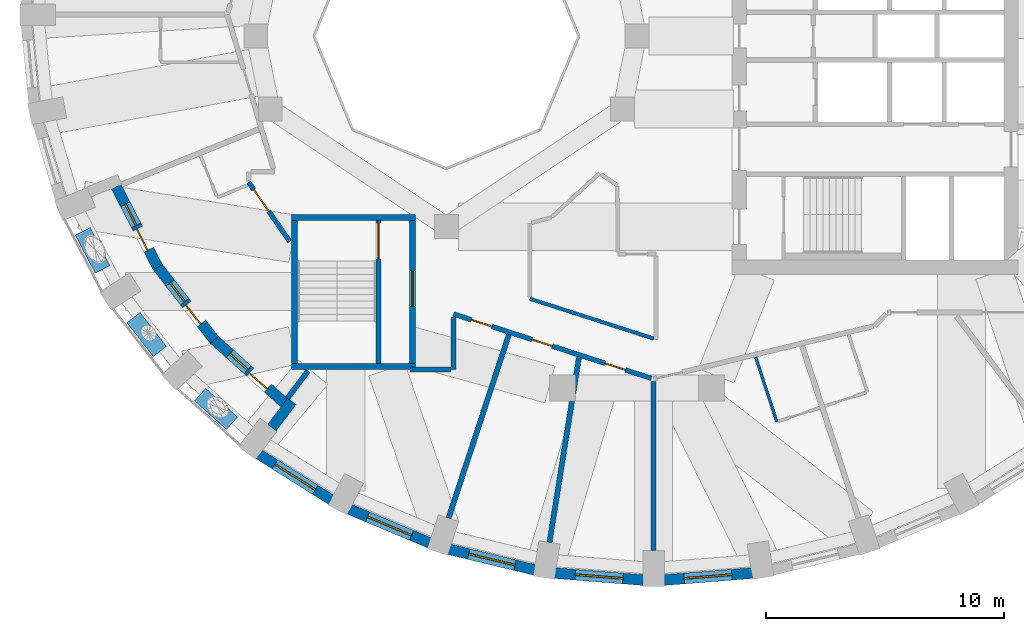
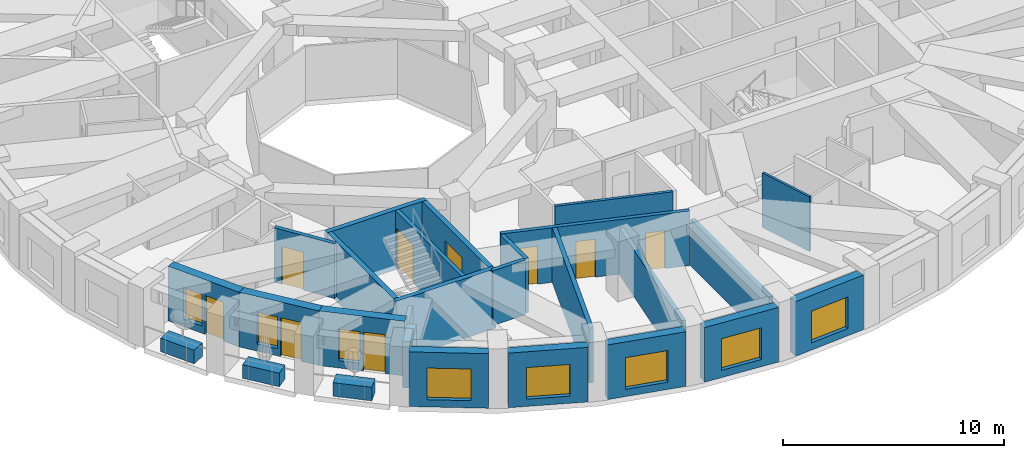
# One storey, part 3 of 12: 27 walls, 9 doors, 8 windows, 17 openings.
"""IFC4 building model written with IfcOpenShell, lengths in metres."""

from ifc_helpers import new_model, si_unit, direction, frame, frame_2d, origin, place, context, subcontext, project, spatial, rectangle, extrude, material, layer, layer_set, constituent, constituent_set, type_object, element, fill, save


model = new_model("IFC4")

# Units and contexts
model_context = context("Model", 3, precision=1e-05, world=origin(), true_north=direction((0.0, 1.0)))
body_context = subcontext(model_context, "Body", "Model", "MODEL_VIEW")
ifc_project = project(units=[si_unit("LENGTHUNIT", "METRE"), si_unit("AREAUNIT", "SQUARE_METRE"), si_unit("VOLUMEUNIT", "CUBIC_METRE"), si_unit("PLANEANGLEUNIT", "RADIAN"), si_unit("MASSUNIT", "GRAM", prefix="KILO")], contexts=[model_context])

# Site, building, storey
site_placement = place(None, origin())
site = spatial("IfcSite", under=ifc_project, at=site_placement, CompositionType="ELEMENT")
building_placement = place(site_placement, origin())
building = spatial("IfcBuilding", under=site, at=building_placement, Name="Taillehof Tower", CompositionType="ELEMENT")
storey_placement = place(building_placement, frame((0.0, 0.0, 218.89990234375)))
storey = spatial("IfcBuildingStorey", under=building, at=storey_placement, Name="L62", CompositionType="ELEMENT", Elevation=218.89990234375)

# Wall, opening, window
ifc_material_1 = material(Name="Brick masonry", Category="masonry")
ifc_layer_1 = layer(ifc_material_1, 0.449951171875)
ifc_layer_set_1 = layer_set([ifc_layer_1], Name="Brick infill wall 450")
wall_type_1 = type_object("IfcWallType", Name="Brick infill wall 450", PredefinedType="SOLIDWALL", material=ifc_layer_set_1)
wall_1_placement = place(storey_placement, frame((-15.8671875, -17.55859375, 0.0), z_axis=(0.0, 0.0, 1.0), x_axis=(0.84616917791, -0.532914366813, 0.0)))
wall_1 = element("IfcWall", 1, at=wall_1_placement, inside=storey, type_object=wall_type_1, Name="Brick wall L62 bay 24", PredefinedType="SOLIDWALL", context=body_context, shape_type="SweptSolid", body=[
    extrude(rectangle(XDim=3.586669921875, YDim=0.449951171875, at=frame_2d((1.79345703125, 0.0))), origin(), (0.0, 0.0, 1.0), 3.02001953125),
])
opening_1_placement = place(wall_1_placement, frame((0.79345703125, 0.0, 0.39990234375)))
opening_1 = element("IfcOpeningElement", 2, at=opening_1_placement, cuts=wall_1, Name="Opening W2", PredefinedType="OPENING", context=body_context, shape_type="SweptSolid", body=[
    extrude(rectangle(XDim=2.0, YDim=1.75, at=frame_2d((1.0, 0.875))), frame((0.0, 0.23486328125, 0.0), z_axis=(0.0, -1.0, 0.0), x_axis=(1.0, 0.0, 0.0)), (0.0, 0.0, 1.0), 0.469970703125),
])
ifc_material_2 = material(Name="Aluminium window frame with clear double glazing", Category="aluminium")
window_type_1 = type_object("IfcWindowType", Name="Deep-set window 2000x1750", PartitioningType="SINGLE_PANEL", PredefinedType="WINDOW", material=ifc_material_2)
window_1_placement = place(opening_1_placement, origin())
window_1 = element("IfcWindow", 3, at=window_1_placement, inside=storey, type_object=window_type_1, Name="W2", OverallHeight=1.75, OverallWidth=2.0, PartitioningType="SINGLE_PANEL", PredefinedType="WINDOW", context=body_context, shape_type="SweptSolid", body=[
    extrude(rectangle(XDim=2.0, YDim=1.75, at=frame_2d((1.0, 0.875))), frame((0.0, 0.034912109375, 0.0), z_axis=(0.0, -1.0, 0.0), x_axis=(1.0, 0.0, 0.0)), (0.0, 0.0, 1.0), 0.06005859375),
])
fill(opening_1, window_1)

wall_2_placement = place(storey_placement, frame((-12.0693359375, -19.866943359375, 0.0), z_axis=(0.0, 0.0, 1.0), x_axis=(0.922168222612, -0.386789050006, 0.0)))
wall_2 = element("IfcWall", 4, at=wall_2_placement, inside=storey, type_object=wall_type_1, Name="Brick wall L62 bay 25", PredefinedType="SOLIDWALL", context=body_context, shape_type="SweptSolid", body=[
    extrude(rectangle(XDim=3.65087890625, YDim=0.449951171875, at=frame_2d((1.825439453125, 0.0))), origin(), (0.0, 0.0, 1.0), 3.02001953125),
])
opening_2_placement = place(wall_2_placement, frame((0.825439453125, 0.0, 0.39990234375)))
opening_2 = element("IfcOpeningElement", 5, at=opening_2_placement, cuts=wall_2, Name="Opening W2", PredefinedType="OPENING", context=body_context, shape_type="SweptSolid", body=[
    extrude(rectangle(XDim=2.0, YDim=1.75, at=frame_2d((1.0, 0.875))), frame((0.0, 0.23486328125, 0.0), z_axis=(0.0, -1.0, 0.0), x_axis=(1.0, 0.0, 0.0)), (0.0, 0.0, 1.0), 0.469970703125),
])
window_2_placement = place(opening_2_placement, origin())
window_2 = element("IfcWindow", 6, at=window_2_placement, inside=storey, type_object=window_type_1, Name="W2", OverallHeight=1.75, OverallWidth=2.0, PartitioningType="SINGLE_PANEL", PredefinedType="WINDOW", context=body_context, shape_type="SweptSolid", body=[
    extrude(rectangle(XDim=2.0, YDim=1.75, at=frame_2d((1.0, 0.875))), frame((0.0, 0.034912109375, 0.0), z_axis=(0.0, -1.0, 0.0), x_axis=(1.0, 0.0, 0.0)), (0.0, 0.0, 1.0), 0.06005859375),
])
fill(opening_2, window_2)

wall_3_placement = place(storey_placement, frame((-7.88525390625, -21.547119140625, 0.0), z_axis=(0.0, 0.0, 1.0), x_axis=(0.9721584944, -0.234324266275, 0.0)))
wall_3 = element("IfcWall", 7, at=wall_3_placement, inside=storey, type_object=wall_type_1, Name="Brick wall L62 bay 26", PredefinedType="SOLIDWALL", context=body_context, shape_type="SweptSolid", body=[
    extrude(rectangle(XDim=3.69775390625, YDim=0.449951171875, at=frame_2d((1.848876953125, 0.0))), origin(), (0.0, 0.0, 1.0), 3.02001953125),
])
opening_3_placement = place(wall_3_placement, frame((0.848876953125, 0.0, 0.39990234375)))
opening_3 = element("IfcOpeningElement", 8, at=opening_3_placement, cuts=wall_3, Name="Opening W2", PredefinedType="OPENING", context=body_context, shape_type="SweptSolid", body=[
    extrude(rectangle(XDim=2.0, YDim=1.75, at=frame_2d((1.0, 0.875))), frame((0.0, 0.23486328125, 0.0), z_axis=(0.0, -1.0, 0.0), x_axis=(1.0, 0.0, 0.0)), (0.0, 0.0, 1.0), 0.469970703125),
])
window_3_placement = place(opening_3_placement, origin())
window_3 = element("IfcWindow", 9, at=window_3_placement, inside=storey, type_object=window_type_1, Name="W2", OverallHeight=1.75, OverallWidth=2.0, PartitioningType="SINGLE_PANEL", PredefinedType="WINDOW", context=body_context, shape_type="SweptSolid", body=[
    extrude(rectangle(XDim=2.0, YDim=1.75, at=frame_2d((1.0, 0.875))), frame((0.0, 0.034912109375, 0.0), z_axis=(0.0, -1.0, 0.0), x_axis=(1.0, 0.0, 0.0)), (0.0, 0.0, 1.0), 0.06005859375),
])
fill(opening_3, window_3)

wall_4_placement = place(storey_placement, frame((-3.441162109375, -22.54833984375, 0.0), z_axis=(0.0, 0.0, 1.0), x_axis=(0.996913971077, -0.078501810629, 0.0)))
wall_4 = element("IfcWall", 10, at=wall_4_placement, inside=storey, type_object=wall_type_1, Name="Brick wall L62 bay 27", PredefinedType="SOLIDWALL", context=body_context, shape_type="SweptSolid", body=[
    extrude(rectangle(XDim=3.72265625, YDim=0.449951171875, at=frame_2d((1.861328125, 0.0))), origin(), (0.0, 0.0, 1.0), 3.02001953125),
])
opening_4_placement = place(wall_4_placement, frame((0.861328125, 0.0, 0.39990234375)))
opening_4 = element("IfcOpeningElement", 11, at=opening_4_placement, cuts=wall_4, Name="Opening W2", PredefinedType="OPENING", context=body_context, shape_type="SweptSolid", body=[
    extrude(rectangle(XDim=2.0, YDim=1.75, at=frame_2d((1.0, 0.875))), frame((0.0, 0.23486328125, 0.0), z_axis=(0.0, -1.0, 0.0), x_axis=(1.0, 0.0, 0.0)), (0.0, 0.0, 1.0), 0.469970703125),
])
window_4_placement = place(opening_4_placement, origin())
window_4 = element("IfcWindow", 12, at=window_4_placement, inside=storey, type_object=window_type_1, Name="W2", OverallHeight=1.75, OverallWidth=2.0, PartitioningType="SINGLE_PANEL", PredefinedType="WINDOW", context=body_context, shape_type="SweptSolid", body=[
    extrude(rectangle(XDim=2.0, YDim=1.75, at=frame_2d((1.0, 0.875))), frame((0.0, 0.034912109375, 0.0), z_axis=(0.0, -1.0, 0.0), x_axis=(1.0, 0.0, 0.0)), (0.0, 0.0, 1.0), 0.06005859375),
])
fill(opening_4, window_4)

wall_5_placement = place(storey_placement, frame((1.130126953125, -22.840576171875, 0.0), z_axis=(0.0, 0.0, 1.0), x_axis=(0.996913566885, 0.078506943392, 0.0)))
wall_5 = element("IfcWall", 13, at=wall_5_placement, inside=storey, type_object=wall_type_1, Name="Brick wall L62 bay 28", PredefinedType="SOLIDWALL", context=body_context, shape_type="SweptSolid", body=[
    extrude(rectangle(XDim=3.722412109375, YDim=0.449951171875, at=frame_2d((1.861328125, 0.0))), origin(), (0.0, 0.0, 1.0), 3.02001953125),
])
opening_5_placement = place(wall_5_placement, frame((0.861328125, 0.0, 0.39990234375)))
opening_5 = element("IfcOpeningElement", 14, at=opening_5_placement, cuts=wall_5, Name="Opening W2", PredefinedType="OPENING", context=body_context, shape_type="SweptSolid", body=[
    extrude(rectangle(XDim=2.0, YDim=1.75, at=frame_2d((1.0, 0.875))), frame((0.0, 0.23486328125, 0.0), z_axis=(0.0, -1.0, 0.0), x_axis=(1.0, 0.0, 0.0)), (0.0, 0.0, 1.0), 0.469970703125),
])
window_5_placement = place(opening_5_placement, origin())
window_5 = element("IfcWindow", 15, at=window_5_placement, inside=storey, type_object=window_type_1, Name="W2", OverallHeight=1.75, OverallWidth=2.0, PartitioningType="SINGLE_PANEL", PredefinedType="WINDOW", context=body_context, shape_type="SweptSolid", body=[
    extrude(rectangle(XDim=2.0, YDim=1.75, at=frame_2d((1.0, 0.875))), frame((0.0, 0.034912109375, 0.0), z_axis=(0.0, -1.0, 0.0), x_axis=(1.0, 0.0, 0.0)), (0.0, 0.0, 1.0), 0.06005859375),
])
fill(opening_5, window_5)

# Wall
wall_6_placement = place(storey_placement, frame((-15.325927734375, -16.441650390625, 0.0), z_axis=(0.0, 0.0, 1.0), x_axis=(0.603644757989, 0.797253414011, 0.0)))
element("IfcWall", 16, at=wall_6_placement, inside=storey, type_object=wall_type_1, Name="Brick reveal L62 pocket 6", PredefinedType="SOLIDWALL", context=body_context, shape_type="SweptSolid", body=[
    extrude(rectangle(XDim=1.390869140625, YDim=0.449951171875, at=frame_2d((0.6953125, 0.0))), origin(), (0.0, 0.0, 1.0), 2.570068359375),
])

# Wall, openings, door, window
wall_7_placement = place(storey_placement, frame((-21.860595703125, -6.326171875, 0.0), z_axis=(0.0, 0.0, 1.0), x_axis=(0.45924645187, -0.888308896975, 0.0)))
wall_7 = element("IfcWall", 17, at=wall_7_placement, inside=storey, type_object=wall_type_1, Name="Brick wall L62 pocket bay 21", PredefinedType="SOLIDWALL", context=body_context, shape_type="SweptSolid", body=[
    extrude(rectangle(XDim=3.801513671875, YDim=0.449951171875, at=frame_2d((1.90087890625, 0.0))), origin(), (0.0, 0.0, 1.0), 3.02001953125),
])
opening_6_placement = place(wall_7_placement, frame((0.82568359375, 0.0, 0.39990234375)))
opening_6 = element("IfcOpeningElement", 18, at=opening_6_placement, cuts=wall_7, Name="Opening W5", PredefinedType="OPENING", context=body_context, shape_type="SweptSolid", body=[
    extrude(rectangle(XDim=1.0, YDim=1.75, at=frame_2d((0.5, 0.875))), frame((0.0, 0.23486328125, 0.0), z_axis=(0.0, -1.0, 0.0), x_axis=(1.0, 0.0, 0.0)), (0.0, 0.0, 1.0), 0.469970703125),
])
opening_7_placement = place(wall_7_placement, frame((1.975830078125, 0.0, 0.0)))
opening_7 = element("IfcOpeningElement", 19, at=opening_7_placement, cuts=wall_7, Name="Opening D6294", PredefinedType="OPENING", context=body_context, shape_type="SweptSolid", body=[
    extrude(rectangle(XDim=1.0, YDim=2.14990234375, at=frame_2d((0.5, 1.074951171875))), frame((0.0, 0.23486328125, 0.0), z_axis=(0.0, -1.0, 0.0), x_axis=(1.0, 0.0, 0.0)), (0.0, 0.0, 1.0), 0.469970703125),
])
ifc_material_3 = material(Name="Aluminium door frame with clear double glazing", Category="aluminium")
door_type_1 = type_object("IfcDoorType", Name="Balcony door 1000x2150", OperationType="SINGLE_SWING_RIGHT", PredefinedType="DOOR", material=ifc_material_3)
door_1_placement = place(opening_7_placement, frame((1.0, 0.0, 0.0), z_axis=(0.0, 0.0, 1.0), x_axis=(-1.0, 0.0, 0.0)))
door_1 = element("IfcDoor", 20, at=door_1_placement, inside=storey, type_object=door_type_1, Name="Balcony door L62 bay 21", OperationType="SINGLE_SWING_RIGHT", OverallHeight=2.14990234375, OverallWidth=1.0, PredefinedType="DOOR", context=body_context, shape_type="SweptSolid", body=[
    extrude(rectangle(XDim=1.0, YDim=2.14990234375, at=frame_2d((0.5, 1.074951171875))), frame((0.0, 0.0751953125, 0.0), z_axis=(0.0, -1.0, 0.0), x_axis=(1.0, 0.0, 0.0)), (0.0, 0.0, 1.0), 0.050048828125),
])
fill(opening_7, door_1)
ifc_material_4 = material(Name="Aluminium window frame with clear double glazing", Category="aluminium")
window_type_2 = type_object("IfcWindowType", Name="Fixed window 1000x1750", PartitioningType="SINGLE_PANEL", PredefinedType="WINDOW", material=ifc_material_4)
window_6_placement = place(opening_6_placement, origin())
window_6 = element("IfcWindow", 21, at=window_6_placement, inside=storey, type_object=window_type_2, Name="W5", OverallHeight=1.75, OverallWidth=1.0, PartitioningType="SINGLE_PANEL", PredefinedType="WINDOW", context=body_context, shape_type="SweptSolid", body=[
    extrude(rectangle(XDim=1.0, YDim=1.75, at=frame_2d((0.5, 0.875))), frame((0.0, 0.034912109375, 0.0), z_axis=(0.0, -1.0, 0.0), x_axis=(1.0, 0.0, 0.0)), (0.0, 0.0, 1.0), 0.06005859375),
])
fill(opening_6, window_6)

wall_8_placement = place(storey_placement, frame((-20.136962890625, -9.66845703125, 0.0), z_axis=(0.0, 0.0, 1.0), x_axis=(0.613157177014, -0.789960933386, 0.0)))
wall_8 = element("IfcWall", 22, at=wall_8_placement, inside=storey, type_object=wall_type_1, Name="Brick wall L62 pocket bay 22", PredefinedType="SOLIDWALL", context=body_context, shape_type="SweptSolid", body=[
    extrude(rectangle(XDim=3.906494140625, YDim=0.449951171875, at=frame_2d((1.953125, 0.0))), origin(), (0.0, 0.0, 1.0), 3.02001953125),
])
opening_8_placement = place(wall_8_placement, frame((0.87841796875, 0.0, 0.39990234375)))
opening_8 = element("IfcOpeningElement", 23, at=opening_8_placement, cuts=wall_8, Name="Opening W5", PredefinedType="OPENING", context=body_context, shape_type="SweptSolid", body=[
    extrude(rectangle(XDim=1.0, YDim=1.75, at=frame_2d((0.5, 0.875))), frame((0.0, 0.23486328125, 0.0), z_axis=(0.0, -1.0, 0.0), x_axis=(1.0, 0.0, 0.0)), (0.0, 0.0, 1.0), 0.469970703125),
])
opening_9_placement = place(wall_8_placement, frame((2.0283203125, 0.0, 0.0)))
opening_9 = element("IfcOpeningElement", 24, at=opening_9_placement, cuts=wall_8, Name="Opening D6295", PredefinedType="OPENING", context=body_context, shape_type="SweptSolid", body=[
    extrude(rectangle(XDim=1.0, YDim=2.14990234375, at=frame_2d((0.5, 1.074951171875))), frame((0.0, 0.23486328125, 0.0), z_axis=(0.0, -1.0, 0.0), x_axis=(1.0, 0.0, 0.0)), (0.0, 0.0, 1.0), 0.469970703125),
])
door_2_placement = place(opening_9_placement, frame((1.0, 0.0, 0.0), z_axis=(0.0, 0.0, 1.0), x_axis=(-1.0, 0.0, 0.0)))
door_2 = element("IfcDoor", 25, at=door_2_placement, inside=storey, type_object=door_type_1, Name="Balcony door L62 bay 22", OperationType="SINGLE_SWING_LEFT", OverallHeight=2.14990234375, OverallWidth=1.0, PredefinedType="DOOR", context=body_context, shape_type="SweptSolid", body=[
    extrude(rectangle(XDim=1.0, YDim=2.14990234375, at=frame_2d((0.5, 1.074951171875))), frame((0.0, 0.0751953125, 0.0), z_axis=(0.0, -1.0, 0.0), x_axis=(1.0, 0.0, 0.0)), (0.0, 0.0, 1.0), 0.050048828125),
])
fill(opening_9, door_2)
window_7_placement = place(opening_8_placement, origin())
window_7 = element("IfcWindow", 26, at=window_7_placement, inside=storey, type_object=window_type_2, Name="W5", OverallHeight=1.75, OverallWidth=1.0, PartitioningType="SINGLE_PANEL", PredefinedType="WINDOW", context=body_context, shape_type="SweptSolid", body=[
    extrude(rectangle(XDim=1.0, YDim=1.75, at=frame_2d((0.5, 0.875))), frame((0.0, 0.034912109375, 0.0), z_axis=(0.0, -1.0, 0.0), x_axis=(1.0, 0.0, 0.0)), (0.0, 0.0, 1.0), 0.06005859375),
])
fill(opening_8, window_7)

wall_9_placement = place(storey_placement, frame((-17.7685546875, -12.725341796875, 0.0), z_axis=(0.0, 0.0, 1.0), x_axis=(0.742485377568, -0.669862272484, 0.0)))
wall_9 = element("IfcWall", 27, at=wall_9_placement, inside=storey, type_object=wall_type_1, Name="Brick wall L62 pocket bay 23", PredefinedType="SOLIDWALL", context=body_context, shape_type="SweptSolid", body=[
    extrude(rectangle(XDim=3.980224609375, YDim=0.449951171875, at=frame_2d((1.990234375, 0.0))), origin(), (0.0, 0.0, 1.0), 3.02001953125),
])
opening_10_placement = place(wall_9_placement, frame((0.9150390625, 0.0, 0.39990234375)))
opening_10 = element("IfcOpeningElement", 28, at=opening_10_placement, cuts=wall_9, Name="Opening W5", PredefinedType="OPENING", context=body_context, shape_type="SweptSolid", body=[
    extrude(rectangle(XDim=1.0, YDim=1.75, at=frame_2d((0.5, 0.875))), frame((0.0, 0.23486328125, 0.0), z_axis=(0.0, -1.0, 0.0), x_axis=(1.0, 0.0, 0.0)), (0.0, 0.0, 1.0), 0.469970703125),
])
opening_11_placement = place(wall_9_placement, frame((2.065185546875, 0.0, 0.0)))
opening_11 = element("IfcOpeningElement", 29, at=opening_11_placement, cuts=wall_9, Name="Opening D6296", PredefinedType="OPENING", context=body_context, shape_type="SweptSolid", body=[
    extrude(rectangle(XDim=1.0, YDim=2.14990234375, at=frame_2d((0.5, 1.074951171875))), frame((0.0, 0.23486328125, 0.0), z_axis=(0.0, -1.0, 0.0), x_axis=(1.0, 0.0, 0.0)), (0.0, 0.0, 1.0), 0.469970703125),
])
door_3_placement = place(opening_11_placement, frame((1.0, 0.0, 0.0), z_axis=(0.0, 0.0, 1.0), x_axis=(-1.0, 0.0, 0.0)))
door_3 = element("IfcDoor", 30, at=door_3_placement, inside=storey, type_object=door_type_1, Name="Balcony door L62 bay 23", OperationType="SINGLE_SWING_LEFT", OverallHeight=2.14990234375, OverallWidth=1.0, PredefinedType="DOOR", context=body_context, shape_type="SweptSolid", body=[
    extrude(rectangle(XDim=1.0, YDim=2.14990234375, at=frame_2d((0.5, 1.074951171875))), frame((0.0, 0.0751953125, 0.0), z_axis=(0.0, -1.0, 0.0), x_axis=(1.0, 0.0, 0.0)), (0.0, 0.0, 1.0), 0.050048828125),
])
fill(opening_11, door_3)
window_8_placement = place(opening_10_placement, origin())
window_8 = element("IfcWindow", 31, at=window_8_placement, inside=storey, type_object=window_type_2, Name="W5", OverallHeight=1.75, OverallWidth=1.0, PartitioningType="SINGLE_PANEL", PredefinedType="WINDOW", context=body_context, shape_type="SweptSolid", body=[
    extrude(rectangle(XDim=1.0, YDim=1.75, at=frame_2d((0.5, 0.875))), frame((0.0, 0.034912109375, 0.0), z_axis=(0.0, -1.0, 0.0), x_axis=(1.0, 0.0, 0.0)), (0.0, 0.0, 1.0), 0.06005859375),
])
fill(opening_10, window_8)

# Wall, openings, doors
ifc_material_5 = material(Name="Gypsum board on steel studs, two layers each side", Category="steel")
ifc_layer_2 = layer(ifc_material_5, 0.199951171875)
ifc_layer_set_2 = layer_set([ifc_layer_2], Name="Compartment wall corridor 200")
wall_type_2 = type_object("IfcWallType", Name="Compartment wall corridor 200", PredefinedType="PARTITIONING", material=ifc_layer_set_2)
wall_10_placement = place(storey_placement, frame((0.604736328125, -14.369384765625, 0.0), z_axis=(0.0, 0.0, 1.0), x_axis=(-0.950994614205, 0.309207444529, 0.0)))
wall_10 = element("IfcWall", 32, at=wall_10_placement, inside=storey, type_object=wall_type_2, Name="Compartment wall", PredefinedType="PARTITIONING", context=body_context, shape_type="SweptSolid", body=[
    extrude(rectangle(XDim=8.732666015625, YDim=0.199951171875, at=frame_2d((4.3662109375, 0.0))), origin(), (0.0, 0.0, 1.0), 3.02001953125),
])
opening_12_placement = place(wall_10_placement, frame((7.039794921875, 0.0, 0.0)))
opening_12 = element("IfcOpeningElement", 33, at=opening_12_placement, cuts=wall_10, Name="Opening D6258", PredefinedType="OPENING", context=body_context, shape_type="SweptSolid", body=[
    extrude(rectangle(XDim=0.89990234375, YDim=2.10009765625, at=frame_2d((0.449951171875, 1.050048828125))), frame((0.0, 0.10986328125, 0.0), z_axis=(0.0, -1.0, 0.0), x_axis=(1.0, 0.0, 0.0)), (0.0, 0.0, 1.0), 0.219970703125),
])
opening_13_placement = place(wall_10_placement, frame((4.374755859375, 0.0, 0.0)))
opening_13 = element("IfcOpeningElement", 34, at=opening_13_placement, cuts=wall_10, Name="Opening D6259", PredefinedType="OPENING", context=body_context, shape_type="SweptSolid", body=[
    extrude(rectangle(XDim=0.89990234375, YDim=2.10009765625, at=frame_2d((0.449951171875, 1.050048828125))), frame((0.0, 0.10986328125, 0.0), z_axis=(0.0, -1.0, 0.0), x_axis=(1.0, 0.0, 0.0)), (0.0, 0.0, 1.0), 0.219970703125),
])
opening_14_placement = place(wall_10_placement, frame((1.144775390625, 0.0, 0.0)))
opening_14 = element("IfcOpeningElement", 35, at=opening_14_placement, cuts=wall_10, Name="Opening D6260", PredefinedType="OPENING", context=body_context, shape_type="SweptSolid", body=[
    extrude(rectangle(XDim=0.89990234375, YDim=2.10009765625, at=frame_2d((0.449951171875, 1.050048828125))), frame((0.0, 0.10986328125, 0.0), z_axis=(0.0, -1.0, 0.0), x_axis=(1.0, 0.0, 0.0)), (0.0, 0.0, 1.0), 0.219970703125),
])
ifc_material_6 = material(Name="Timber door leaf in steel frame", Category="steel")
door_type_2 = type_object("IfcDoorType", Name="Service room door EI 30 900 x 2100", OperationType="SINGLE_SWING_LEFT", PredefinedType="DOOR", material=ifc_material_6)
door_4_placement = place(opening_12_placement, origin())
door_4 = element("IfcDoor", 36, at=door_4_placement, inside=storey, type_object=door_type_2, Name="D6258", OperationType="SINGLE_SWING_LEFT", OverallHeight=2.10009765625, OverallWidth=0.89990234375, PredefinedType="DOOR", context=body_context, shape_type="SweptSolid", body=[
    extrude(rectangle(XDim=0.89990234375, YDim=2.10009765625, at=frame_2d((0.449951171875, 1.050048828125))), frame((0.0, 0.02490234375, 0.0), z_axis=(0.0, -1.0, 0.0), x_axis=(1.0, 0.0, 0.0)), (0.0, 0.0, 1.0), 0.050048828125),
])
fill(opening_12, door_4)
door_5_placement = place(opening_13_placement, origin())
door_5 = element("IfcDoor", 37, at=door_5_placement, inside=storey, type_object=door_type_2, Name="D6259", OperationType="SINGLE_SWING_RIGHT", OverallHeight=2.10009765625, OverallWidth=0.89990234375, PredefinedType="DOOR", context=body_context, shape_type="SweptSolid", body=[
    extrude(rectangle(XDim=0.89990234375, YDim=2.10009765625, at=frame_2d((0.449951171875, 1.050048828125))), frame((0.0, 0.02490234375, 0.0), z_axis=(0.0, -1.0, 0.0), x_axis=(1.0, 0.0, 0.0)), (0.0, 0.0, 1.0), 0.050048828125),
])
fill(opening_13, door_5)
door_6_placement = place(opening_14_placement, origin())
door_6 = element("IfcDoor", 38, at=door_6_placement, inside=storey, type_object=door_type_2, Name="D6260", OperationType="SINGLE_SWING_RIGHT", OverallHeight=2.10009765625, OverallWidth=0.89990234375, PredefinedType="DOOR", context=body_context, shape_type="SweptSolid", body=[
    extrude(rectangle(XDim=0.89990234375, YDim=2.10009765625, at=frame_2d((0.449951171875, 1.050048828125))), frame((0.0, 0.02490234375, 0.0), z_axis=(0.0, -1.0, 0.0), x_axis=(1.0, 0.0, 0.0)), (0.0, 0.0, 1.0), 0.050048828125),
])
fill(opening_14, door_6)

# Walls
wall_11_placement = place(storey_placement, frame((-7.699951171875, -11.809326171875, 0.0), z_axis=(0.0, 0.0, 1.0), x_axis=(0.0, -1.0, 0.0)))
element("IfcWall", 39, at=wall_11_placement, inside=storey, type_object=wall_type_2, Name="Compartment wall", PredefinedType="PARTITIONING", context=body_context, shape_type="SweptSolid", body=[
    extrude(rectangle(XDim=2.190673828125, YDim=0.199951171875, at=frame_2d((1.09521484375, 0.0))), origin(), (0.0, 0.0, 1.0), 3.02001953125),
])
wall_12_placement = place(storey_placement, frame((-7.800048828125, -14.0, 0.0), z_axis=(0.0, 0.0, 1.0), x_axis=(-1.0, 0.0, 0.0)))
element("IfcWall", 40, at=wall_12_placement, inside=storey, type_object=wall_type_2, Name="Compartment wall", PredefinedType="PARTITIONING", context=body_context, shape_type="SweptSolid", body=[
    extrude(rectangle(XDim=1.696044921875, YDim=0.199951171875, at=frame_2d((0.84814453125, 0.0))), origin(), (0.0, 0.0, 1.0), 3.02001953125),
])

# Wall, opening, door
wall_13_placement = place(storey_placement, frame((-14.575439453125, -8.626708984375, 0.0), z_axis=(0.0, 0.0, 1.0), x_axis=(-0.569910381143, 0.821706856163, 0.0)))
wall_13 = element("IfcWall", 41, at=wall_13_placement, inside=storey, type_object=wall_type_2, Name="Compartment wall", PredefinedType="PARTITIONING", context=body_context, shape_type="SweptSolid", body=[
    extrude(rectangle(XDim=3.026123046875, YDim=0.199951171875, at=frame_2d((1.51318359375, 0.0))), origin(), (0.0, 0.0, 1.0), 3.02001953125),
])
opening_15_placement = place(wall_13_placement, frame((1.551513671875, 0.0, 0.0)))
opening_15 = element("IfcOpeningElement", 42, at=opening_15_placement, cuts=wall_13, Name="Opening D6256", PredefinedType="OPENING", context=body_context, shape_type="SweptSolid", body=[
    extrude(rectangle(XDim=1.10009765625, YDim=2.10009765625, at=frame_2d((0.550048828125, 1.050048828125))), frame((0.0, 0.10986328125, 0.0), z_axis=(0.0, -1.0, 0.0), x_axis=(1.0, 0.0, 0.0)), (0.0, 0.0, 1.0), 0.219970703125),
])
ifc_material_7 = material(Name="Timber door leaf in steel frame", Category="steel")
door_type_3 = type_object("IfcDoorType", Name="Suite entrance door EI 30 1100 x 2100", OperationType="SINGLE_SWING_LEFT", PredefinedType="DOOR", material=ifc_material_7)
door_7_placement = place(opening_15_placement, origin())
door_7 = element("IfcDoor", 43, at=door_7_placement, inside=storey, type_object=door_type_3, Name="D6256", OperationType="SINGLE_SWING_RIGHT", OverallHeight=2.10009765625, OverallWidth=1.10009765625, PredefinedType="DOOR", context=body_context, shape_type="SweptSolid", body=[
    extrude(rectangle(XDim=1.10009765625, YDim=2.10009765625, at=frame_2d((0.550048828125, 1.050048828125))), frame((0.0, 0.02490234375, 0.0), z_axis=(0.0, -1.0, 0.0), x_axis=(1.0, 0.0, 0.0)), (0.0, 0.0, 1.0), 0.050048828125),
])
fill(opening_15, door_7)

# Walls
ifc_material_8 = material(Name="Gypsum board on double steel studs with mineral wool", Category="steel")
ifc_layer_3 = layer(ifc_material_8, 0.219970703125)
ifc_layer_set_3 = layer_set([ifc_layer_3], Name="Compartment wall guest room 220")
wall_type_3 = type_object("IfcWallType", Name="Compartment wall guest room 220", PredefinedType="PARTITIONING", material=ifc_layer_set_3)
wall_14_placement = place(storey_placement, frame((-14.6767578125, -15.21142578125, 0.0), z_axis=(0.0, 0.0, 1.0), x_axis=(0.60355868562, 0.797318576864, 0.0)))
element("IfcWall", 44, at=wall_14_placement, inside=storey, type_object=wall_type_3, Name="Compartment wall", PredefinedType="PARTITIONING", context=body_context, shape_type="SweptSolid", body=[
    extrude(rectangle(XDim=1.446533203125, YDim=0.219970703125, at=frame_2d((0.72314453125, 0.0))), origin(), (0.0, 0.0, 1.0), 2.570068359375),
])
wall_15_placement = place(storey_placement, frame((-7.9072265625, -20.2353515625, 0.0), z_axis=(0.0, 0.0, 1.0), x_axis=(0.311998426629, 0.950082618397, 0.0)))
element("IfcWall", 45, at=wall_15_placement, inside=storey, type_object=wall_type_3, Name="Compartment wall", PredefinedType="PARTITIONING", context=body_context, shape_type="SweptSolid", body=[
    extrude(rectangle(XDim=8.110595703125, YDim=0.219970703125, at=frame_2d((4.05517578125, 0.0))), origin(), (0.0, 0.0, 1.0), 3.02001953125),
])
wall_16_placement = place(storey_placement, frame((-3.6708984375, -21.256103515625, 0.0), z_axis=(0.0, 0.0, 1.0), x_axis=(0.1571047049, 0.98758195189, 0.0)))
element("IfcWall", 46, at=wall_16_placement, inside=storey, type_object=wall_type_3, Name="Compartment wall", PredefinedType="PARTITIONING", context=body_context, shape_type="SweptSolid", body=[
    extrude(rectangle(XDim=7.84765625, YDim=0.219970703125, at=frame_2d((3.923828125, 0.0))), origin(), (0.0, 0.0, 1.0), 2.570068359375),
])
wall_17_placement = place(storey_placement, frame((0.699951171875, -21.60009765625, 0.0), z_axis=(0.0, 0.0, 1.0), x_axis=(0.0, 1.0, 0.0)))
element("IfcWall", 47, at=wall_17_placement, inside=storey, type_object=wall_type_3, Name="Compartment wall", PredefinedType="PARTITIONING", context=body_context, shape_type="SweptSolid", body=[
    extrude(rectangle(XDim=7.10009765625, YDim=0.219970703125, at=frame_2d((3.550048828125, 0.0))), origin(), (0.0, 0.0, 1.0), 2.570068359375),
])
ifc_material_9 = material(Name="Gypsum board on steel studs, two layers each side", Category="steel")
ifc_layer_4 = layer(ifc_material_9, 0.14990234375)
ifc_layer_set_4 = layer_set([ifc_layer_4], Name="Compartment wall service room 150")
wall_type_4 = type_object("IfcWallType", Name="Compartment wall service room 150", PredefinedType="PARTITIONING", material=ifc_layer_set_4)
wall_18_placement = place(storey_placement, frame((0.704833984375, -12.699951171875, 0.0), z_axis=(0.0, 0.0, 1.0), x_axis=(-0.952035530576, 0.305987497327, 0.0)))
element("IfcWall", 48, at=wall_18_placement, inside=storey, type_object=wall_type_4, Name="Compartment wall", PredefinedType="PARTITIONING", context=body_context, shape_type="SweptSolid", body=[
    extrude(rectangle(XDim=5.467041015625, YDim=0.14990234375, at=frame_2d((2.7333984375, 0.0))), origin(), (0.0, 0.0, 1.0), 3.02001953125),
])
ifc_material_10 = material(Name="Gypsum board on steel studs, moisture resistant", Category="steel")
ifc_layer_5 = layer(ifc_material_10, 0.1201171875)
ifc_layer_set_5 = layer_set([ifc_layer_5], Name="En-suite wall 120")
wall_type_5 = type_object("IfcWallType", Name="En-suite wall 120", PredefinedType="PARTITIONING", material=ifc_layer_set_5)
wall_19_placement = place(storey_placement, frame((4.9814453125, -13.473388671875, 0.0), z_axis=(0.0, 0.0, 1.0), x_axis=(0.312029038347, -0.950072565243, 0.0)))
element("IfcWall", 49, at=wall_19_placement, inside=storey, type_object=wall_type_5, Name="En-suite wall", PredefinedType="PARTITIONING", context=body_context, shape_type="SweptSolid", body=[
    extrude(rectangle(XDim=2.86279296875, YDim=0.1201171875, at=frame_2d((1.431396484375, 0.0))), origin(), (0.0, 0.0, 1.0), 3.02001953125),
])
ifc_material_11 = material(Name="Concrete C30/37 precast", Category="concrete")
ifc_constituent_1 = constituent(ifc_material_11, Name="Structure", Category="concrete")
ifc_material_12 = material(Name="Insulated lining")
ifc_constituent_2 = constituent(ifc_material_12, Name="Lining")
ifc_constituent_set = constituent_set(constituents=[ifc_constituent_1, ifc_constituent_2], Name="Planter trough 700x750")
wall_type_6 = type_object("IfcWallType", Name="Planter trough 700x750", PredefinedType="USERDEFINED", material=ifc_constituent_set)
for number, where, z_axis, x_axis, name in (
    (50, (-23.263916015625, -8.197265625, 0.0), (0.0, 0.0, 1.0), (0.460186516514, -0.887822262629, 0.0), "Planter L62 bay 21"),
    (51, (-21.13525390625, -11.819091796875, 0.0), (0.0, 0.0, 1.0), (0.614269202726, -0.789096538189, 0.0), "Planter L62 bay 22"),
    (52, (-18.337890625, -15.051025390625, 0.0), (0.0, 0.0, 1.0), (0.743422275143, -0.668822338758, 0.0), "Planter L62 bay 23"),
):
    element("IfcWall", number, at=place(storey_placement, frame(where, z_axis=z_axis, x_axis=x_axis)), inside=storey, type_object=wall_type_6, Name=name, ObjectType="PLANTER", PredefinedType="USERDEFINED", context=body_context, shape_type="SweptSolid", body=[
        extrude(rectangle(XDim=1.800048828125, YDim=0.699951171875, at=frame_2d((0.89990234375, 0.0))), origin(), (0.0, 0.0, 1.0), 0.75),
    ])

# Wall, opening, door
ifc_material_13 = material(Name="Concrete C50/60", Category="concrete")
ifc_layer_6 = layer(ifc_material_13, 0.199951171875)
ifc_layer_set_6 = layer_set([ifc_layer_6], Name="Shaft wall C50/60 200")
wall_type_7 = type_object("IfcWallType", Name="Shaft wall C50/60 200", PredefinedType="SHEAR", material=ifc_layer_set_6)
wall_20_placement = place(storey_placement, frame((-10.85009765625, -13.75, 0.0), z_axis=(0.0, 0.0, 1.0), x_axis=(0.0, 1.0, 0.0)))
wall_20 = element("IfcWall", 53, at=wall_20_placement, inside=storey, type_object=wall_type_7, Name="Shaft wall SW", PredefinedType="SHEAR", context=body_context, shape_type="SweptSolid", body=[
    extrude(rectangle(XDim=6.0, YDim=0.199951171875, at=frame_2d((3.0, 0.0))), origin(), (0.0, 0.0, 1.0), 3.02001953125),
])
opening_16_placement = place(wall_20_placement, frame((4.39990234375, 0.0, 0.0)))
opening_16 = element("IfcOpeningElement", 54, at=opening_16_placement, cuts=wall_20, Name="Opening D6213", PredefinedType="OPENING", context=body_context, shape_type="SweptSolid", body=[
    extrude(rectangle(XDim=1.5, YDim=2.10009765625, at=frame_2d((0.75, 1.050048828125))), frame((0.0, 0.10986328125, 0.0), z_axis=(0.0, -1.0, 0.0), x_axis=(1.0, 0.0, 0.0)), (0.0, 0.0, 1.0), 0.219970703125),
])
ifc_material_14 = material(Name="Steel-faced fire door", Category="steel")
door_type_4 = type_object("IfcDoorType", Name="Stair door 1500x2100", OperationType="DOUBLE_DOOR_SINGLE_SWING", PredefinedType="DOOR", material=ifc_material_14)
door_8_placement = place(opening_16_placement, origin())
door_8 = element("IfcDoor", 55, at=door_8_placement, inside=storey, type_object=door_type_4, Name="Stair lobby door S4", OperationType="DOUBLE_DOOR_SINGLE_SWING", OverallHeight=2.10009765625, OverallWidth=1.5, PredefinedType="DOOR", context=body_context, shape_type="SweptSolid", body=[
    extrude(rectangle(XDim=1.5, YDim=2.10009765625, at=frame_2d((0.75, 1.050048828125))), frame((0.0, 0.02490234375, 0.0), z_axis=(0.0, -1.0, 0.0), x_axis=(1.0, 0.0, 0.0)), (0.0, 0.0, 1.0), 0.050048828125),
])
fill(opening_16, door_8)

# Wall
ifc_material_15 = material(Name="Concrete C50/60", Category="concrete")
ifc_layer_7 = layer(ifc_material_15, 0.25)
ifc_layer_set_7 = layer_set([ifc_layer_7], Name="Stair wall C50/60 250")
wall_type_8 = type_object("IfcWallType", Name="Stair wall C50/60 250", PredefinedType="SHEAR", material=ifc_layer_set_7)
wall_21_placement = place(storey_placement, frame((-14.375, -13.75, -0.27978515625), z_axis=(0.0, 0.0, 1.0), x_axis=(0.0, 1.0, 0.0)))
element("IfcWall", 56, at=wall_21_placement, inside=storey, type_object=wall_type_8, Name="Stair wall SC", PredefinedType="SHEAR", context=body_context, shape_type="SweptSolid", body=[
    extrude(rectangle(XDim=6.0, YDim=0.25, at=frame_2d((3.0, 0.0))), origin(), (0.0, 0.0, 1.0), 3.2998046875),
])

# Wall, opening, door
wall_22_placement = place(storey_placement, frame((-9.425048828125, -13.75, -0.27978515625), z_axis=(0.0, 0.0, 1.0), x_axis=(0.0, 1.0, 0.0)))
wall_22 = element("IfcWall", 57, at=wall_22_placement, inside=storey, type_object=wall_type_8, Name="Stair wall SC", PredefinedType="SHEAR", context=body_context, shape_type="SweptSolid", body=[
    extrude(rectangle(XDim=6.0, YDim=0.25, at=frame_2d((3.0, 0.0))), origin(), (0.0, 0.0, 1.0), 3.2998046875),
])
opening_17_placement = place(wall_22_placement, frame((2.39990234375, 0.0, 0.280029296875)))
opening_17 = element("IfcOpeningElement", 58, at=opening_17_placement, cuts=wall_22, Name="Opening D6216", PredefinedType="OPENING", context=body_context, shape_type="SweptSolid", body=[
    extrude(rectangle(XDim=1.5, YDim=2.10009765625, at=frame_2d((0.75, 1.050048828125))), frame((0.0, 0.135009765625, 0.0), z_axis=(0.0, -1.0, 0.0), x_axis=(1.0, 0.0, 0.0)), (0.0, 0.0, 1.0), 0.27001953125),
])
door_9_placement = place(opening_17_placement, origin())
door_9 = element("IfcDoor", 59, at=door_9_placement, inside=storey, type_object=door_type_4, Name="Stair door S4", OperationType="DOUBLE_DOOR_SINGLE_SWING", OverallHeight=2.10009765625, OverallWidth=1.5, PredefinedType="DOOR", context=body_context, shape_type="SweptSolid", body=[
    extrude(rectangle(XDim=1.5, YDim=2.10009765625, at=frame_2d((0.75, 1.050048828125))), frame((0.0, 0.02490234375, 0.0), z_axis=(0.0, -1.0, 0.0), x_axis=(1.0, 0.0, 0.0)), (0.0, 0.0, 1.0), 0.050048828125),
])
fill(opening_17, door_9)

# Walls
for number, where, z_axis, x_axis, name in (
    (60, (-14.5, -7.625, -0.27978515625), (0.0, 0.0, 1.0), (1.0, 0.0, 0.0), "Stair wall SC"),
    (61, (-14.5, -13.875, -0.27978515625), (0.0, 0.0, 1.0), (1.0, 0.0, 0.0), "Stair wall SC"),
):
    element("IfcWall", number, at=place(storey_placement, frame(where, z_axis=z_axis, x_axis=x_axis)), inside=storey, type_object=wall_type_8, Name=name, PredefinedType="SHEAR", context=body_context, shape_type="SweptSolid", body=[
        extrude(rectangle(XDim=5.199951171875, YDim=0.25, at=frame_2d((2.60009765625, 0.0))), origin(), (0.0, 0.0, 1.0), 3.2998046875),
    ])

save(model, "model.ifc")
